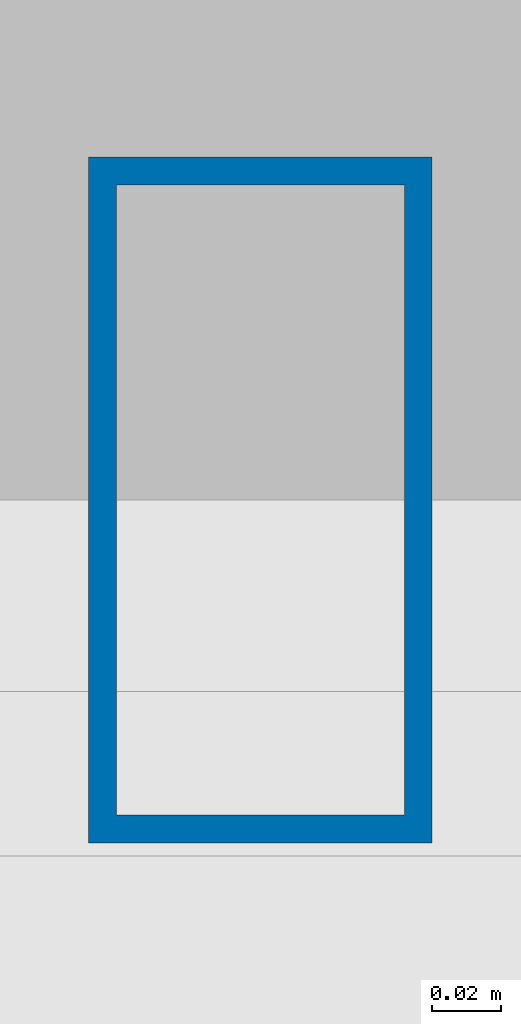
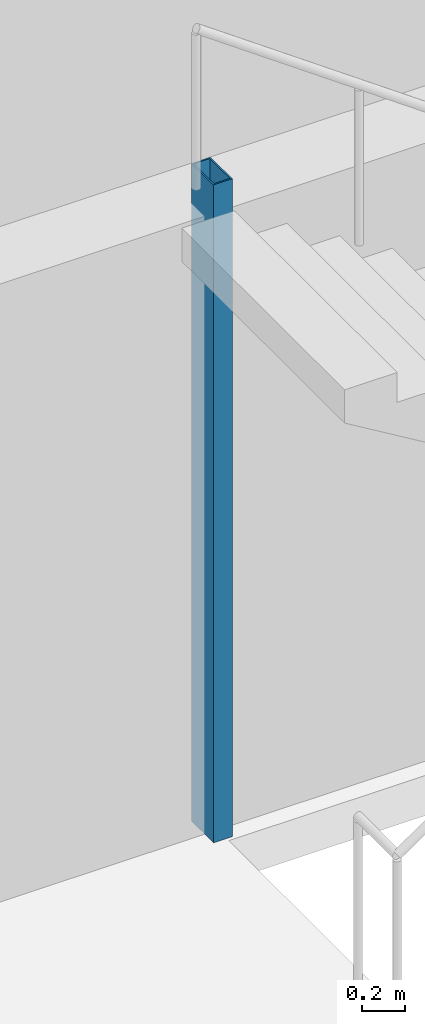
# One storey, part 2 of 18: 1 column.
"""IFC4 building model written with IfcOpenShell, lengths in metres."""

import ifcopenshell
import ifcopenshell.guid

model = None  # the IFC model being written
_history = None  # IfcOwnerHistory: only IFC2X3 demands one
_inside = {}  # id of a spatial element -> (the spatial element, [elements in it])
_under = {}  # id of a project, library or spatial element -> (it, [spatial elements below it])
_declared = {}  # id of a project -> (the project, [libraries it declares])
_typed = {}  # id of a type object -> (the type object, [elements of that type])
_made_of = {}  # id of a material, layer set ... -> (it, [elements and type objects made of it])


def new_model(schema):
    """Start an empty IFC model of exactly this schema.

    Asked for "IFC4X3", IfcOpenShell would pick the latest addendum, in which some entities
    have other attributes; the version numbers below select the first issue.
    IFC2X3 requires an IfcOwnerHistory on every rooted entity: one is made here for all.
    """
    global model, _history
    if schema == "IFC4X3":
        model = ifcopenshell.file(schema_version=(4, 3, 0, 0))
    else:
        model = ifcopenshell.file(schema=schema)
    _inside.clear()
    _under.clear()
    _declared.clear()
    _typed.clear()
    _made_of.clear()
    _history = None
    if model.schema == "IFC2X3":
        org = make("IfcOrganization", Name="unknown")
        user = make(
            "IfcPersonAndOrganization",
            ThePerson=make("IfcPerson", FamilyName="unknown"),
            TheOrganization=org,
        )
        app = make(
            "IfcApplication",
            ApplicationDeveloper=org,
            Version="unknown",
            ApplicationFullName="unknown",
            ApplicationIdentifier="unknown",
        )
        _history = make(
            "IfcOwnerHistory",
            OwningUser=user,
            OwningApplication=app,
            ChangeAction="ADDED",
            CreationDate=0,
        )
    return model


def make(cls, **values):
    """One entity of the class cls with the attributes given. An attribute that is None is left unset."""
    return model.create_entity(
        cls, **{name: value for name, value in values.items() if value is not None}
    )


def rooted(cls, **values):
    """An entity with a GlobalId (a new one), such as an element, a storey or a relation."""
    return make(cls, GlobalId=ifcopenshell.guid.new(), OwnerHistory=_history, **values)


def si_unit(unit_type, name, prefix=None):
    """IfcSIUnit, for example si_unit("LENGTHUNIT", "METRE", prefix="MILLI")."""
    return make("IfcSIUnit", UnitType=unit_type, Prefix=prefix, Name=name)


def assignment(units):
    """IfcUnitAssignment: the units of a project."""
    return None if units is None else make("IfcUnitAssignment", Units=units)


def point(xyz):
    """IfcCartesianPoint."""
    return None if xyz is None else make("IfcCartesianPoint", Coordinates=xyz)


def direction(xyz):
    """IfcDirection."""
    return None if xyz is None else make("IfcDirection", DirectionRatios=xyz)


def frame(location, z_axis=None, x_axis=None):
    """IfcAxis2Placement3D, a coordinate frame: its origin and axes. An axis left out is left unset."""
    return make(
        "IfcAxis2Placement3D",
        Location=point(location),
        Axis=direction(z_axis),
        RefDirection=direction(x_axis),
    )


def frame_2d(location, x_axis=None):
    """IfcAxis2Placement2D, a coordinate frame in the plane: its origin and x axis."""
    return make(
        "IfcAxis2Placement2D", Location=point(location), RefDirection=direction(x_axis)
    )


def origin():
    """The frame at (0, 0, 0) with its axes left unset."""
    return frame((0.0, 0.0, 0.0))


def origin_2d():
    """The frame at (0, 0) in the plane with its x axis left unset."""
    return frame_2d((0.0, 0.0))


def place(relative_to, where):
    """IfcLocalPlacement: puts the frame where relative to a parent placement (None: the world)."""
    return make(
        "IfcLocalPlacement", PlacementRelTo=relative_to, RelativePlacement=where
    )


def context(
    kind, dimensions, precision=None, world=None, true_north=None, identifier=None
):
    """IfcGeometricRepresentationContext, for example the 3D "Model" context."""
    return make(
        "IfcGeometricRepresentationContext",
        ContextIdentifier=identifier,
        ContextType=kind,
        CoordinateSpaceDimension=dimensions,
        Precision=precision,
        WorldCoordinateSystem=world,
        TrueNorth=true_north,
    )


def subcontext(parent, identifier, kind, view, scale=None):
    """IfcGeometricRepresentationSubContext, for example "Body" below "Model"."""
    return make(
        "IfcGeometricRepresentationSubContext",
        ContextIdentifier=identifier,
        ContextType=kind,
        ParentContext=parent,
        TargetScale=scale,
        TargetView=view,
    )


def project(units=None, contexts=None):
    """IfcProject with its units and contexts."""
    return rooted(
        "IfcProject",
        Name="project",
        RepresentationContexts=contexts,
        UnitsInContext=assignment(units),
    )


def spatial(cls, under=None, at=None, **own):
    """A site, building, storey or space (cls), placed at a placement, below another one or the project."""
    s = rooted(cls, ObjectPlacement=at, **own)
    if under is not None:
        _under.setdefault(under.id(), (under, []))[1].append(s)
    return s


def profile(cls, at=None, kind="AREA", **sizes):
    """A parametric profile (cls). Its sizes go by their IFC names, for example OverallWidth=200.0."""
    return make(cls, ProfileType=kind, Position=at, **sizes)


def hollow_rectangle(**sizes):
    """IfcRectangleHollowProfileDef."""
    return profile("IfcRectangleHollowProfileDef", **sizes)


def extrude(swept, where, along, depth):
    """IfcExtrudedAreaSolid: the profile swept, set in the frame where, extruded along a direction by depth."""
    return make(
        "IfcExtrudedAreaSolid",
        SweptArea=swept,
        Position=where,
        ExtrudedDirection=direction(along),
        Depth=depth,
    )


def shape(context_of_items, identifier, shape_type, items):
    """IfcShapeRepresentation: the items that make up one representation, for example the "Body"."""
    return make(
        "IfcShapeRepresentation",
        ContextOfItems=context_of_items,
        RepresentationIdentifier=identifier,
        RepresentationType=shape_type,
        Items=items,
    )


def material(Name=None, Category=None):
    """IfcMaterial."""
    return make("IfcMaterial", Name=Name, Category=Category)


def material_profile(
    of_material, cross_section, Name=None, Category=None, Priority=None
):
    """IfcMaterialProfile: a cross section and its material."""
    return make(
        "IfcMaterialProfile",
        Name=Name,
        Material=of_material,
        Profile=cross_section,
        Priority=Priority,
        Category=Category,
    )


def profile_set(profiles, Name=None, composite=None):
    """IfcMaterialProfileSet."""
    return make(
        "IfcMaterialProfileSet",
        Name=Name,
        MaterialProfiles=profiles,
        CompositeProfile=composite,
    )


def made_of(thing, what):
    """Note that an element or type object is made of a material, layer set ...; save() writes the relation."""
    if what is not None:
        _made_of.setdefault(what.id(), (what, []))[1].append(thing)
    return thing


def type_object(cls, material=None, **own):
    """A type object (cls), such as IfcWallType, which elements share."""
    return made_of(rooted(cls, **own), material)


def element(
    cls,
    number,
    at=None,
    inside=None,
    cuts=None,
    type_object=None,
    material=None,
    context=None,
    identifier="Body",
    shape_type=None,
    held_by="IfcProductDefinitionShape",
    body=None,
    shapes=None,
    **own,
):
    """One element of the class cls, such as IfcWall. Its Tag is "e" and its number.

    at: its placement. inside: the storey or other place that contains it. cuts: it is an
    opening in that element (IfcRelVoidsElement). A single representation is given by context,
    identifier, shape_type and body (its items); several are given by shapes. held_by: the class
    of the entity that holds the representations. save() writes the other relations.
    """
    e = rooted(cls, Tag="e%d" % number, ObjectPlacement=at, **own)
    if body is not None:
        shapes = [shape(context, identifier, shape_type, body)]
    if shapes is not None:
        e.Representation = make(held_by, Representations=shapes)
    if inside is not None:
        _inside.setdefault(inside.id(), (inside, []))[1].append(e)
    if cuts is not None:
        rooted(
            "IfcRelVoidsElement", RelatingBuildingElement=cuts, RelatedOpeningElement=e
        )
    if type_object is not None:
        _typed.setdefault(type_object.id(), (type_object, []))[1].append(e)
    return made_of(e, material)


def aggregate(whole, parts):
    """IfcRelAggregates: a whole, such as a stair, and the parts it consists of."""
    return rooted("IfcRelAggregates", RelatingObject=whole, RelatedObjects=parts)


def save(model, path):
    """Write the relations noted so far, then the file.

    IfcRelAggregates (storeys below a building ...), IfcRelContainedInSpatialStructure (elements
    in a storey), IfcRelDefinesByType, IfcRelAssociatesMaterial and IfcRelDeclares: one each for
    every whole, place, type object, material and project.
    """
    for whole, parts in _under.values():
        aggregate(whole, parts)
    for where, things in _inside.values():
        rooted(
            "IfcRelContainedInSpatialStructure",
            RelatedElements=things,
            RelatingStructure=where,
        )
    for kind, things in _typed.values():
        rooted("IfcRelDefinesByType", RelatedObjects=things, RelatingType=kind)
    for what, things in _made_of.values():
        rooted("IfcRelAssociatesMaterial", RelatedObjects=things, RelatingMaterial=what)
    for by, libraries in _declared.values():
        rooted("IfcRelDeclares", RelatingContext=by, RelatedDefinitions=libraries)
    model.write(path)


model = new_model("IFC4")

# Units and contexts
model_context = context("Model", 3, precision=1e-05, world=origin(), true_north=direction((0.0, 1.0)))
body_context = subcontext(model_context, "Body", "Model", "MODEL_VIEW")
ifc_project = project(units=[si_unit("LENGTHUNIT", "METRE"), si_unit("AREAUNIT", "SQUARE_METRE"), si_unit("VOLUMEUNIT", "CUBIC_METRE"), si_unit("PLANEANGLEUNIT", "RADIAN"), si_unit("MASSUNIT", "GRAM", prefix="KILO")], contexts=[model_context])

# Site, building, storey
site_placement = place(None, origin())
site = spatial("IfcSite", under=ifc_project, at=site_placement, CompositionType="ELEMENT")
building_placement = place(site_placement, origin())
building = spatial("IfcBuilding", under=site, at=building_placement, Name="Menara Jurai Vektor", CompositionType="ELEMENT")
storey_placement = place(building_placement, frame((0.0, 0.0, 135.5)))
storey = spatial("IfcBuildingStorey", under=building, at=storey_placement, Name="L34", CompositionType="ELEMENT", Elevation=135.5)

# Column
ifc_material = material(Name="Steel S355", Category="steel")
ifc_material_profile = material_profile(ifc_material, hollow_rectangle(XDim=0.10009765625, YDim=0.199951171875, WallThickness=0.008056640625, at=origin_2d()), Name="RHS 200x100x8")
ifc_profile_set = profile_set([ifc_material_profile], Name="Steel S355")
column_type = type_object("IfcColumnType", Name="STR-COL-STAIR", PredefinedType="COLUMN", material=ifc_profile_set)
column_placement = place(storey_placement, frame((-11.1201171875, 5.419921875, 0.0), z_axis=(0.0, 0.0, 1.0), x_axis=(1.0, 0.0, 0.0)))
element("IfcColumn", 1, at=column_placement, inside=storey, type_object=column_type, Name="Stair Well Header Column ST1-P2 L34", PredefinedType="COLUMN", context=body_context, shape_type="SweptSolid", body=[
    extrude(hollow_rectangle(XDim=0.10009765625, YDim=0.199951171875, WallThickness=0.008056640625, at=origin_2d()), origin(), (0.0, 0.0, 1.0), 3.699951171875),
])

save(model, "model.ifc")
